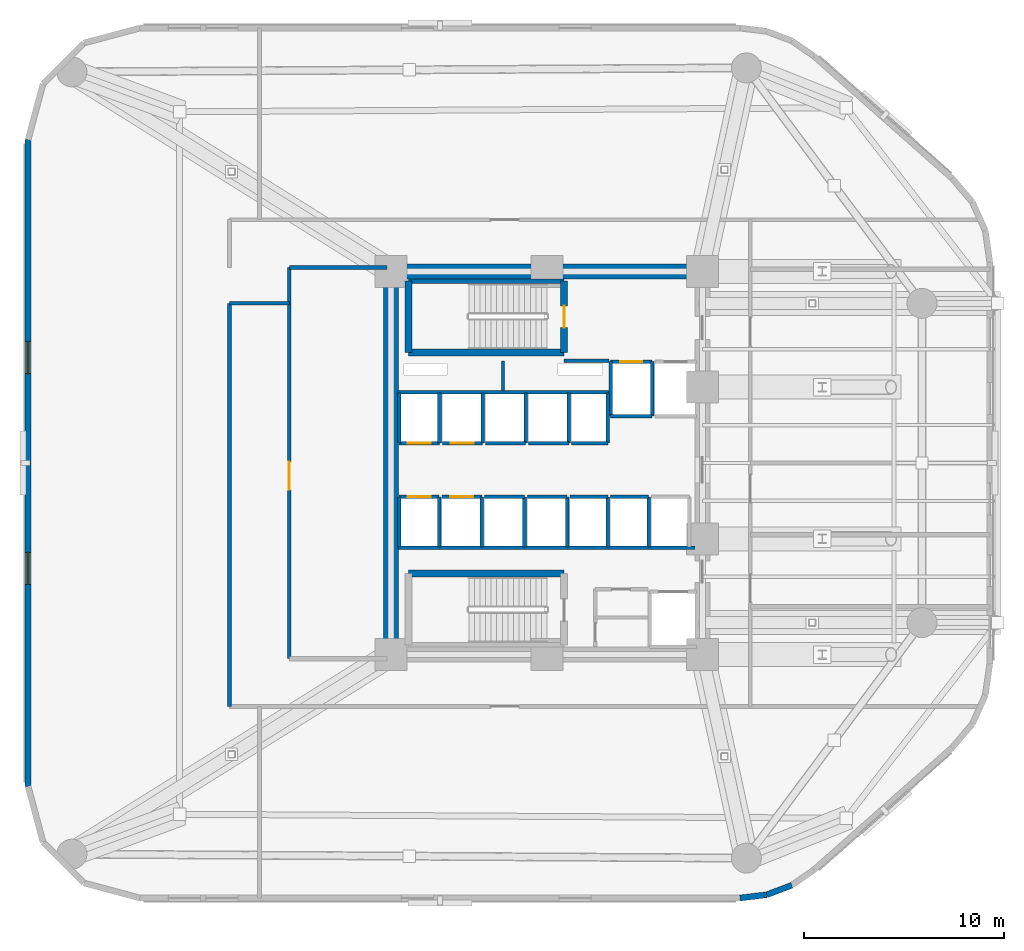
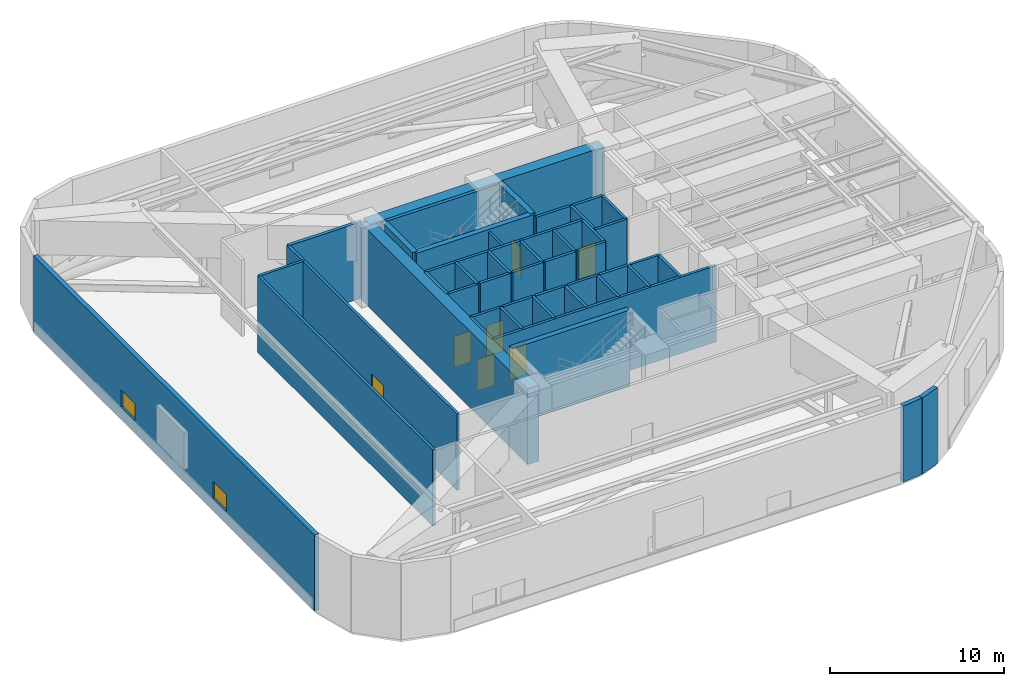
# One storey, part 7 of 11: 46 walls, 7 doors, 2 windows, 9 openings.
"""IFC4 building model written with IfcOpenShell, lengths in metres."""

from ifc_helpers import new_model, si_unit, direction, frame, frame_2d, origin, place, context, subcontext, project, spatial, rectangle, extrude, material, layer, layer_set, type_object, element, fill, save


model = new_model("IFC4")

# Units and contexts
model_context = context("Model", 3, precision=1e-05, world=origin(), true_north=direction((0.0, 1.0)))
body_context = subcontext(model_context, "Body", "Model", "MODEL_VIEW")
ifc_project = project(units=[si_unit("LENGTHUNIT", "METRE"), si_unit("AREAUNIT", "SQUARE_METRE"), si_unit("VOLUMEUNIT", "CUBIC_METRE"), si_unit("PLANEANGLEUNIT", "RADIAN"), si_unit("MASSUNIT", "GRAM", prefix="KILO")], contexts=[model_context])

# Site, building, storey
site_placement = place(None, origin())
site = spatial("IfcSite", under=ifc_project, at=site_placement, CompositionType="ELEMENT")
building_placement = place(site_placement, origin())
building = spatial("IfcBuilding", under=site, at=building_placement, Name="An Khanh Terracotta Commons", CompositionType="ELEMENT")
storey_placement = place(building_placement, frame((0.0, 0.0, 75.60009765625)))
storey = spatial("IfcBuildingStorey", under=building, at=storey_placement, Name="L20", CompositionType="ELEMENT", Elevation=75.60009765625)

# Walls
ifc_material_1 = material(Name="Concrete C70/85", Category="concrete")
ifc_layer_1 = layer(ifc_material_1, 0.75, Name="Concrete C70/85")
ifc_layer_set_1 = layer_set([ifc_layer_1], Name="Concrete C70/85")
wall_type_1 = type_object("IfcWallType", Name="WALL-CORE-750", PredefinedType="SHEAR", material=ifc_layer_set_1)
wall_1_placement = place(storey_placement, frame((21.60009765625, 14.39990234375, 0.0), z_axis=(0.0, 0.0, 1.0), x_axis=(0.0, 1.0, 0.0)))
element("IfcWall", 1, at=wall_1_placement, inside=storey, type_object=wall_type_1, Name="L20 Core Wall CWALL-L20-W", PredefinedType="SHEAR", context=body_context, shape_type="SweptSolid", body=[
    extrude(rectangle(XDim=19.2001953125, YDim=0.75, at=frame_2d((9.60009765625, 0.0))), origin(), (0.0, 0.0, 1.0), 5.35986328125),
])
wall_2_placement = place(storey_placement, frame((21.60009765625, 33.60009765625, 0.0), z_axis=(0.0, 0.0, 1.0), x_axis=(1.0, 0.0, 0.0)))
element("IfcWall", 2, at=wall_2_placement, inside=storey, type_object=wall_type_1, Name="L20 Core Wall CWALL-L20-N", PredefinedType="SHEAR", context=body_context, shape_type="SweptSolid", body=[
    extrude(rectangle(XDim=15.599853515625, YDim=0.75, at=frame_2d((7.7998046875, 0.0))), origin(), (0.0, 0.0, 1.0), 5.35986328125),
])
ifc_material_2 = material(Name="Fire-Rated Gypsum Board on Steel Stud", Category="steel")
ifc_layer_2 = layer(ifc_material_2, 0.179931640625, Name="Fire-Rated Gypsum Board on Steel Stud")
ifc_layer_set_2 = layer_set([ifc_layer_2], Name="Fire-Rated Gypsum Board on Steel Stud")
wall_type_2 = type_object("IfcWallType", Name="WALL-CORR-180", PredefinedType="PARTITIONING", material=ifc_layer_set_2)
wall_3_placement = place(storey_placement, frame((30.27001953125, 29.1201171875, 0.0), z_axis=(0.0, 0.0, 1.0), x_axis=(1.0, 0.0, 0.0)))
element("IfcWall", 3, at=wall_3_placement, inside=storey, type_object=wall_type_2, Name="L20 Core Wall FFLW-L20-S", PredefinedType="PARTITIONING", context=body_context, shape_type="SweptSolid", body=[
    extrude(rectangle(XDim=2.239990234375, YDim=0.179931640625, at=frame_2d((1.1201171875, 0.0))), origin(), (0.0, 0.0, 1.0), 5.35986328125),
])
wall_4_placement = place(storey_placement, frame((21.949951171875, 27.5400390625, 0.0), z_axis=(0.0, 0.0, 1.0), x_axis=(1.0, 0.0, 0.0)))
element("IfcWall", 4, at=wall_4_placement, inside=storey, type_object=wall_type_2, Name="L20 Core Wall RSRW-L20-S", PredefinedType="PARTITIONING", context=body_context, shape_type="SweptSolid", body=[
    extrude(rectangle(XDim=10.56005859375, YDim=0.179931640625, at=frame_2d((5.280029296875, 0.0))), origin(), (0.0, 0.0, 1.0), 5.35986328125),
])
wall_5_placement = place(storey_placement, frame((21.949951171875, 19.760009765625, 0.0), z_axis=(0.0, 0.0, 1.0), x_axis=(1.0, 0.0, 0.0)))
element("IfcWall", 5, at=wall_5_placement, inside=storey, type_object=wall_type_2, Name="L20 Core Wall SVW-L20-N", PredefinedType="PARTITIONING", context=body_context, shape_type="SweptSolid", body=[
    extrude(rectangle(XDim=14.8701171875, YDim=0.179931640625, at=frame_2d((7.43505859375, 0.0))), origin(), (0.0, 0.0, 1.0), 5.35986328125),
])

# Wall, opening, door
wall_6_placement = place(storey_placement, frame((32.60009765625, 29.080078125, 0.0), z_axis=(0.0, 0.0, 1.0), x_axis=(1.0, 0.0, 0.0)))
wall_6 = element("IfcWall", 6, at=wall_6_placement, inside=storey, type_object=wall_type_2, Name="L20 Core Wall LSH-L20-FFL-01-N", PredefinedType="PARTITIONING", context=body_context, shape_type="SweptSolid", body=[
    extrude(rectangle(XDim=2.079833984375, YDim=0.179931640625, at=frame_2d((1.0400390625, 0.0))), origin(), (0.0, 0.0, 1.0), 5.35986328125),
])
opening_1_placement = place(wall_6_placement, frame((0.489990234375, 0.0, 0.0)))
opening_1 = element("IfcOpeningElement", 7, at=opening_1_placement, cuts=wall_6, Name="Opening LD-FFL-01-L20", PredefinedType="OPENING", context=body_context, shape_type="SweptSolid", body=[
    extrude(rectangle(XDim=1.10009765625, YDim=2.199951171875, at=frame_2d((0.550048828125, 1.10009765625))), frame((0.0, 0.099853515625, 0.0), z_axis=(0.0, -1.0, 0.0), x_axis=(1.0, 0.0, 0.0)), (0.0, 0.0, 1.0), 0.199951171875),
])
ifc_material_3 = material(Name="Brushed Stainless Steel Fire Landing Door", Category="steel")
door_type_1 = type_object("IfcDoorType", Name="DOOR-LD-FFL-1100", OperationType="NOTDEFINED", PredefinedType="DOOR", material=ifc_material_3)
door_1_placement = place(opening_1_placement, origin())
door_1 = element("IfcDoor", 8, at=door_1_placement, inside=storey, type_object=door_type_1, Name="L20 Lift FFL-01 Sliding Landing Door", OperationType="DOUBLE_DOOR_SLIDING", OverallHeight=2.199951171875, OverallWidth=1.10009765625, PredefinedType="DOOR", context=body_context, shape_type="SweptSolid", body=[
    extrude(rectangle(XDim=1.10009765625, YDim=2.199951171875, at=frame_2d((0.550048828125, 1.10009765625))), frame((0.0, 0.02490234375, 0.0), z_axis=(0.0, -1.0, 0.0), x_axis=(1.0, 0.0, 0.0)), (0.0, 0.0, 1.0), 0.050048828125),
])
fill(opening_1, door_1)

# Walls
wall_7_placement = place(storey_placement, frame((34.679931640625, 26.35009765625, 0.0), z_axis=(0.0, 0.0, 1.0), x_axis=(-1.0, 0.0, 0.0)))
element("IfcWall", 9, at=wall_7_placement, inside=storey, type_object=wall_type_2, Name="L20 Core Wall LSH-L20-FFL-01-S", PredefinedType="PARTITIONING", context=body_context, shape_type="SweptSolid", body=[
    extrude(rectangle(XDim=2.079833984375, YDim=0.179931640625, at=frame_2d((1.0400390625, 0.0))), origin(), (0.0, 0.0, 1.0), 5.35986328125),
])
for number, where, z_axis, x_axis, name in (
    (10, (34.679931640625, 26.35009765625, 0.0), (0.0, 0.0, 1.0), (0.0, 1.0, 0.0), "L20 Core Wall LSH-L20-FFL-01-E"),
    (11, (32.60009765625, 29.080078125, 0.0), (0.0, 0.0, 1.0), (0.0, -1.0, 0.0), "L20 Core Wall LSH-L20-FFL-01-W"),
):
    element("IfcWall", number, at=place(storey_placement, frame(where, z_axis=z_axis, x_axis=x_axis)), inside=storey, type_object=wall_type_2, Name=name, PredefinedType="PARTITIONING", context=body_context, shape_type="SweptSolid", body=[
        extrude(rectangle(XDim=2.72998046875, YDim=0.179931640625, at=frame_2d((1.364990234375, 0.0))), origin(), (0.0, 0.0, 1.0), 5.35986328125),
    ])

# Wall, opening, door
wall_8_placement = place(storey_placement, frame((24.02001953125, 25.0, 0.0), z_axis=(0.0, 0.0, 1.0), x_axis=(-1.0, 0.0, 0.0)))
wall_8 = element("IfcWall", 12, at=wall_8_placement, inside=storey, type_object=wall_type_2, Name="L20 Core Wall LSH-L20-PL-L1-S", PredefinedType="PARTITIONING", context=body_context, shape_type="SweptSolid", body=[
    extrude(rectangle(XDim=2.02001953125, YDim=0.179931640625, at=frame_2d((1.010009765625, 0.0))), origin(), (0.0, 0.0, 1.0), 5.35986328125),
])
opening_2_placement = place(wall_8_placement, frame((0.43505859375, 0.0, 0.0)))
opening_2 = element("IfcOpeningElement", 13, at=opening_2_placement, cuts=wall_8, Name="Opening LD-PL-L1-L20", PredefinedType="OPENING", context=body_context, shape_type="SweptSolid", body=[
    extrude(rectangle(XDim=1.14990234375, YDim=2.199951171875, at=frame_2d((0.574951171875, 1.10009765625))), frame((0.0, 0.099853515625, 0.0), z_axis=(0.0, -1.0, 0.0), x_axis=(1.0, 0.0, 0.0)), (0.0, 0.0, 1.0), 0.199951171875),
])
ifc_material_4 = material(Name="Brushed Stainless Steel Passenger Landing Door", Category="steel")
door_type_2 = type_object("IfcDoorType", Name="DOOR-LD-PAX-1150", OperationType="NOTDEFINED", PredefinedType="DOOR", material=ifc_material_4)
door_2_placement = place(opening_2_placement, origin())
door_2 = element("IfcDoor", 14, at=door_2_placement, inside=storey, type_object=door_type_2, Name="L20 Lift PL-L1 Sliding Landing Door", OperationType="DOUBLE_DOOR_SLIDING", OverallHeight=2.199951171875, OverallWidth=1.14990234375, PredefinedType="DOOR", context=body_context, shape_type="SweptSolid", body=[
    extrude(rectangle(XDim=1.14990234375, YDim=2.199951171875, at=frame_2d((0.574951171875, 1.10009765625))), frame((0.0, 0.02490234375, 0.0), z_axis=(0.0, -1.0, 0.0), x_axis=(1.0, 0.0, 0.0)), (0.0, 0.0, 1.0), 0.050048828125),
])
fill(opening_2, door_2)

# Walls
for number, where, z_axis, x_axis, name in (
    (15, (24.02001953125, 25.0, 0.0), (0.0, 0.0, 1.0), (0.0, 1.0, 0.0), "L20 Core Wall LSH-L20-PL-L1-E"),
    (16, (22.0, 27.5, 0.0), (0.0, 0.0, 1.0), (0.0, -1.0, 0.0), "L20 Core Wall LSH-L20-PL-L1-W"),
):
    element("IfcWall", number, at=place(storey_placement, frame(where, z_axis=z_axis, x_axis=x_axis)), inside=storey, type_object=wall_type_2, Name=name, PredefinedType="PARTITIONING", context=body_context, shape_type="SweptSolid", body=[
        extrude(rectangle(XDim=2.5, YDim=0.179931640625, at=frame_2d((1.25, 0.0))), origin(), (0.0, 0.0, 1.0), 5.35986328125),
    ])

# Wall, opening, door
wall_9_placement = place(storey_placement, frame((26.179931640625, 25.0, 0.0), z_axis=(0.0, 0.0, 1.0), x_axis=(-1.0, 0.0, 0.0)))
wall_9 = element("IfcWall", 17, at=wall_9_placement, inside=storey, type_object=wall_type_2, Name="L20 Core Wall LSH-L20-PL-L2-S", PredefinedType="PARTITIONING", context=body_context, shape_type="SweptSolid", body=[
    extrude(rectangle(XDim=2.02001953125, YDim=0.179931640625, at=frame_2d((1.010009765625, 0.0))), origin(), (0.0, 0.0, 1.0), 5.35986328125),
])
opening_3_placement = place(wall_9_placement, frame((0.43505859375, 0.0, 0.0)))
opening_3 = element("IfcOpeningElement", 18, at=opening_3_placement, cuts=wall_9, Name="Opening LD-PL-L2-L20", PredefinedType="OPENING", context=body_context, shape_type="SweptSolid", body=[
    extrude(rectangle(XDim=1.14990234375, YDim=2.199951171875, at=frame_2d((0.574951171875, 1.10009765625))), frame((0.0, 0.099853515625, 0.0), z_axis=(0.0, -1.0, 0.0), x_axis=(1.0, 0.0, 0.0)), (0.0, 0.0, 1.0), 0.199951171875),
])
door_3_placement = place(opening_3_placement, origin())
door_3 = element("IfcDoor", 19, at=door_3_placement, inside=storey, type_object=door_type_2, Name="L20 Lift PL-L2 Sliding Landing Door", OperationType="DOUBLE_DOOR_SLIDING", OverallHeight=2.199951171875, OverallWidth=1.14990234375, PredefinedType="DOOR", context=body_context, shape_type="SweptSolid", body=[
    extrude(rectangle(XDim=1.14990234375, YDim=2.199951171875, at=frame_2d((0.574951171875, 1.10009765625))), frame((0.0, 0.02490234375, 0.0), z_axis=(0.0, -1.0, 0.0), x_axis=(1.0, 0.0, 0.0)), (0.0, 0.0, 1.0), 0.050048828125),
])
fill(opening_3, door_3)

# Wall
wall_10_placement = place(storey_placement, frame((26.179931640625, 25.0, 0.0), z_axis=(0.0, 0.0, 1.0), x_axis=(0.0, 1.0, 0.0)))
element("IfcWall", 20, at=wall_10_placement, inside=storey, type_object=wall_type_2, Name="L20 Core Wall LSH-L20-PL-L2-E", PredefinedType="PARTITIONING", context=body_context, shape_type="SweptSolid", body=[
    extrude(rectangle(XDim=2.5, YDim=0.179931640625, at=frame_2d((1.25, 0.0))), origin(), (0.0, 0.0, 1.0), 5.35986328125),
])

# Wall, opening, door
wall_11_placement = place(storey_placement, frame((22.0, 22.300048828125, 0.0), z_axis=(0.0, 0.0, 1.0), x_axis=(1.0, 0.0, 0.0)))
wall_11 = element("IfcWall", 21, at=wall_11_placement, inside=storey, type_object=wall_type_2, Name="L20 Core Wall LSH-L20-PL-L3-N", PredefinedType="PARTITIONING", context=body_context, shape_type="SweptSolid", body=[
    extrude(rectangle(XDim=2.0, YDim=0.179931640625, at=frame_2d((1.0, 0.0))), origin(), (0.0, 0.0, 1.0), 5.35986328125),
])
opening_4_placement = place(wall_11_placement, frame((0.425048828125, 0.0, 0.0)))
opening_4 = element("IfcOpeningElement", 22, at=opening_4_placement, cuts=wall_11, Name="Opening LD-PL-L3-L20", PredefinedType="OPENING", context=body_context, shape_type="SweptSolid", body=[
    extrude(rectangle(XDim=1.14990234375, YDim=2.199951171875, at=frame_2d((0.574951171875, 1.10009765625))), frame((0.0, 0.099853515625, 0.0), z_axis=(0.0, -1.0, 0.0), x_axis=(1.0, 0.0, 0.0)), (0.0, 0.0, 1.0), 0.199951171875),
])
door_4_placement = place(opening_4_placement, origin())
door_4 = element("IfcDoor", 23, at=door_4_placement, inside=storey, type_object=door_type_2, Name="L20 Lift PL-L3 Sliding Landing Door", OperationType="DOUBLE_DOOR_SLIDING", OverallHeight=2.199951171875, OverallWidth=1.14990234375, PredefinedType="DOOR", context=body_context, shape_type="SweptSolid", body=[
    extrude(rectangle(XDim=1.14990234375, YDim=2.199951171875, at=frame_2d((0.574951171875, 1.10009765625))), frame((0.0, 0.02490234375, 0.0), z_axis=(0.0, -1.0, 0.0), x_axis=(1.0, 0.0, 0.0)), (0.0, 0.0, 1.0), 0.050048828125),
])
fill(opening_4, door_4)

# Walls
for number, where, z_axis, x_axis, name in (
    (24, (24.0, 19.800048828125, 0.0), (0.0, 0.0, 1.0), (0.0, 1.0, 0.0), "L20 Core Wall LSH-L20-PL-L3-E"),
    (25, (22.0, 22.300048828125, 0.0), (0.0, 0.0, 1.0), (0.0, -1.0, 0.0), "L20 Core Wall LSH-L20-PL-L3-W"),
):
    element("IfcWall", number, at=place(storey_placement, frame(where, z_axis=z_axis, x_axis=x_axis)), inside=storey, type_object=wall_type_2, Name=name, PredefinedType="PARTITIONING", context=body_context, shape_type="SweptSolid", body=[
        extrude(rectangle(XDim=2.5, YDim=0.179931640625, at=frame_2d((1.25, 0.0))), origin(), (0.0, 0.0, 1.0), 5.35986328125),
    ])

# Wall, opening, door
wall_12_placement = place(storey_placement, frame((24.139892578125, 22.300048828125, 0.0), z_axis=(0.0, 0.0, 1.0), x_axis=(1.0, 0.0, 0.0)))
wall_12 = element("IfcWall", 26, at=wall_12_placement, inside=storey, type_object=wall_type_2, Name="L20 Core Wall LSH-L20-PL-L4-N", PredefinedType="PARTITIONING", context=body_context, shape_type="SweptSolid", body=[
    extrude(rectangle(XDim=2.0, YDim=0.179931640625, at=frame_2d((1.0, 0.0))), origin(), (0.0, 0.0, 1.0), 5.35986328125),
])
opening_5_placement = place(wall_12_placement, frame((0.425048828125, 0.0, 0.0)))
opening_5 = element("IfcOpeningElement", 27, at=opening_5_placement, cuts=wall_12, Name="Opening LD-PL-L4-L20", PredefinedType="OPENING", context=body_context, shape_type="SweptSolid", body=[
    extrude(rectangle(XDim=1.14990234375, YDim=2.199951171875, at=frame_2d((0.574951171875, 1.10009765625))), frame((0.0, 0.099853515625, 0.0), z_axis=(0.0, -1.0, 0.0), x_axis=(1.0, 0.0, 0.0)), (0.0, 0.0, 1.0), 0.199951171875),
])
door_5_placement = place(opening_5_placement, origin())
door_5 = element("IfcDoor", 28, at=door_5_placement, inside=storey, type_object=door_type_2, Name="L20 Lift PL-L4 Sliding Landing Door", OperationType="DOUBLE_DOOR_SLIDING", OverallHeight=2.199951171875, OverallWidth=1.14990234375, PredefinedType="DOOR", context=body_context, shape_type="SweptSolid", body=[
    extrude(rectangle(XDim=1.14990234375, YDim=2.199951171875, at=frame_2d((0.574951171875, 1.10009765625))), frame((0.0, 0.02490234375, 0.0), z_axis=(0.0, -1.0, 0.0), x_axis=(1.0, 0.0, 0.0)), (0.0, 0.0, 1.0), 0.050048828125),
])
fill(opening_5, door_5)

# Walls
wall_13_placement = place(storey_placement, frame((26.139892578125, 19.800048828125, 0.0), z_axis=(0.0, 0.0, 1.0), x_axis=(0.0, 1.0, 0.0)))
element("IfcWall", 29, at=wall_13_placement, inside=storey, type_object=wall_type_2, Name="L20 Core Wall LSH-L20-PL-L4-E", PredefinedType="PARTITIONING", context=body_context, shape_type="SweptSolid", body=[
    extrude(rectangle(XDim=2.5, YDim=0.179931640625, at=frame_2d((1.25, 0.0))), origin(), (0.0, 0.0, 1.0), 5.35986328125),
])
wall_14_placement = place(storey_placement, frame((28.340087890625, 25.0, 0.0), z_axis=(0.0, 0.0, 1.0), x_axis=(-1.0, 0.0, 0.0)))
element("IfcWall", 30, at=wall_14_placement, inside=storey, type_object=wall_type_2, Name="L20 Core Wall LSH-L20-PL-M1-S", PredefinedType="PARTITIONING", context=body_context, shape_type="SweptSolid", body=[
    extrude(rectangle(XDim=2.02001953125, YDim=0.179931640625, at=frame_2d((1.010009765625, 0.0))), origin(), (0.0, 0.0, 1.0), 5.35986328125),
])
wall_15_placement = place(storey_placement, frame((28.340087890625, 25.0, 0.0), z_axis=(0.0, 0.0, 1.0), x_axis=(0.0, 1.0, 0.0)))
element("IfcWall", 31, at=wall_15_placement, inside=storey, type_object=wall_type_2, Name="L20 Core Wall LSH-L20-PL-M1-E", PredefinedType="PARTITIONING", context=body_context, shape_type="SweptSolid", body=[
    extrude(rectangle(XDim=2.5, YDim=0.179931640625, at=frame_2d((1.25, 0.0))), origin(), (0.0, 0.0, 1.0), 5.35986328125),
])
wall_16_placement = place(storey_placement, frame((30.5, 25.0, 0.0), z_axis=(0.0, 0.0, 1.0), x_axis=(-1.0, 0.0, 0.0)))
element("IfcWall", 32, at=wall_16_placement, inside=storey, type_object=wall_type_2, Name="L20 Core Wall LSH-L20-PL-M2-S", PredefinedType="PARTITIONING", context=body_context, shape_type="SweptSolid", body=[
    extrude(rectangle(XDim=2.02001953125, YDim=0.179931640625, at=frame_2d((1.010009765625, 0.0))), origin(), (0.0, 0.0, 1.0), 5.35986328125),
])
wall_17_placement = place(storey_placement, frame((30.5, 25.0, 0.0), z_axis=(0.0, 0.0, 1.0), x_axis=(0.0, 1.0, 0.0)))
element("IfcWall", 33, at=wall_17_placement, inside=storey, type_object=wall_type_2, Name="L20 Core Wall LSH-L20-PL-M2-E", PredefinedType="PARTITIONING", context=body_context, shape_type="SweptSolid", body=[
    extrude(rectangle(XDim=2.5, YDim=0.179931640625, at=frame_2d((1.25, 0.0))), origin(), (0.0, 0.0, 1.0), 5.35986328125),
])
wall_18_placement = place(storey_placement, frame((26.280029296875, 22.300048828125, 0.0), z_axis=(0.0, 0.0, 1.0), x_axis=(1.0, 0.0, 0.0)))
element("IfcWall", 34, at=wall_18_placement, inside=storey, type_object=wall_type_2, Name="L20 Core Wall LSH-L20-PL-M3-N", PredefinedType="PARTITIONING", context=body_context, shape_type="SweptSolid", body=[
    extrude(rectangle(XDim=2.0, YDim=0.179931640625, at=frame_2d((1.0, 0.0))), origin(), (0.0, 0.0, 1.0), 5.35986328125),
])
wall_19_placement = place(storey_placement, frame((28.280029296875, 19.800048828125, 0.0), z_axis=(0.0, 0.0, 1.0), x_axis=(0.0, 1.0, 0.0)))
element("IfcWall", 35, at=wall_19_placement, inside=storey, type_object=wall_type_2, Name="L20 Core Wall LSH-L20-PL-M3-E", PredefinedType="PARTITIONING", context=body_context, shape_type="SweptSolid", body=[
    extrude(rectangle(XDim=2.5, YDim=0.179931640625, at=frame_2d((1.25, 0.0))), origin(), (0.0, 0.0, 1.0), 5.35986328125),
])
wall_20_placement = place(storey_placement, frame((28.419921875, 22.300048828125, 0.0), z_axis=(0.0, 0.0, 1.0), x_axis=(1.0, 0.0, 0.0)))
element("IfcWall", 36, at=wall_20_placement, inside=storey, type_object=wall_type_2, Name="L20 Core Wall LSH-L20-PL-M4-N", PredefinedType="PARTITIONING", context=body_context, shape_type="SweptSolid", body=[
    extrude(rectangle(XDim=2.0, YDim=0.179931640625, at=frame_2d((1.0, 0.0))), origin(), (0.0, 0.0, 1.0), 5.35986328125),
])
wall_21_placement = place(storey_placement, frame((30.419921875, 19.800048828125, 0.0), z_axis=(0.0, 0.0, 1.0), x_axis=(0.0, 1.0, 0.0)))
element("IfcWall", 37, at=wall_21_placement, inside=storey, type_object=wall_type_2, Name="L20 Core Wall LSH-L20-PL-M4-E", PredefinedType="PARTITIONING", context=body_context, shape_type="SweptSolid", body=[
    extrude(rectangle(XDim=2.5, YDim=0.179931640625, at=frame_2d((1.25, 0.0))), origin(), (0.0, 0.0, 1.0), 5.35986328125),
])
wall_22_placement = place(storey_placement, frame((32.4599609375, 25.0, 0.0), z_axis=(0.0, 0.0, 1.0), x_axis=(-1.0, 0.0, 0.0)))
element("IfcWall", 38, at=wall_22_placement, inside=storey, type_object=wall_type_2, Name="L20 Core Wall LSH-L20-PL-H1-S", PredefinedType="PARTITIONING", context=body_context, shape_type="SweptSolid", body=[
    extrude(rectangle(XDim=1.820068359375, YDim=0.179931640625, at=frame_2d((0.91015625, 0.0))), origin(), (0.0, 0.0, 1.0), 5.35986328125),
])
wall_23_placement = place(storey_placement, frame((32.4599609375, 25.0, 0.0), z_axis=(0.0, 0.0, 1.0), x_axis=(0.0, 1.0, 0.0)))
element("IfcWall", 39, at=wall_23_placement, inside=storey, type_object=wall_type_2, Name="L20 Core Wall LSH-L20-PL-H1-E", PredefinedType="PARTITIONING", context=body_context, shape_type="SweptSolid", body=[
    extrude(rectangle(XDim=2.5, YDim=0.179931640625, at=frame_2d((1.25, 0.0))), origin(), (0.0, 0.0, 1.0), 5.35986328125),
])
wall_24_placement = place(storey_placement, frame((30.56005859375, 22.300048828125, 0.0), z_axis=(0.0, 0.0, 1.0), x_axis=(1.0, 0.0, 0.0)))
element("IfcWall", 40, at=wall_24_placement, inside=storey, type_object=wall_type_2, Name="L20 Core Wall LSH-L20-PL-H2-N", PredefinedType="PARTITIONING", context=body_context, shape_type="SweptSolid", body=[
    extrude(rectangle(XDim=1.89990234375, YDim=0.179931640625, at=frame_2d((0.949951171875, 0.0))), origin(), (0.0, 0.0, 1.0), 5.35986328125),
])
wall_25_placement = place(storey_placement, frame((32.4599609375, 19.800048828125, 0.0), z_axis=(0.0, 0.0, 1.0), x_axis=(0.0, 1.0, 0.0)))
element("IfcWall", 41, at=wall_25_placement, inside=storey, type_object=wall_type_2, Name="L20 Core Wall LSH-L20-PL-H2-E", PredefinedType="PARTITIONING", context=body_context, shape_type="SweptSolid", body=[
    extrude(rectangle(XDim=2.5, YDim=0.179931640625, at=frame_2d((1.25, 0.0))), origin(), (0.0, 0.0, 1.0), 5.35986328125),
])
wall_26_placement = place(storey_placement, frame((32.60009765625, 22.300048828125, 0.0), z_axis=(0.0, 0.0, 1.0), x_axis=(1.0, 0.0, 0.0)))
element("IfcWall", 42, at=wall_26_placement, inside=storey, type_object=wall_type_2, Name="L20 Core Wall LSH-L20-PL-H3-N", PredefinedType="PARTITIONING", context=body_context, shape_type="SweptSolid", body=[
    extrude(rectangle(XDim=1.89990234375, YDim=0.179931640625, at=frame_2d((0.949951171875, 0.0))), origin(), (0.0, 0.0, 1.0), 5.35986328125),
])
wall_27_placement = place(storey_placement, frame((34.5, 19.800048828125, 0.0), z_axis=(0.0, 0.0, 1.0), x_axis=(0.0, 1.0, 0.0)))
element("IfcWall", 43, at=wall_27_placement, inside=storey, type_object=wall_type_2, Name="L20 Core Wall LSH-L20-PL-H3-E", PredefinedType="PARTITIONING", context=body_context, shape_type="SweptSolid", body=[
    extrude(rectangle(XDim=2.5, YDim=0.179931640625, at=frame_2d((1.25, 0.0))), origin(), (0.0, 0.0, 1.0), 5.35986328125),
])
wall_28_placement = place(storey_placement, frame((13.5, 32.0, 0.0), z_axis=(0.0, 0.0, 1.0), x_axis=(1.0, 0.0, 0.0)))
element("IfcWall", 44, at=wall_28_placement, inside=storey, type_object=wall_type_2, Name="L20 Interior Partition IW-L20-E006", PredefinedType="PARTITIONING", context=body_context, shape_type="SweptSolid", body=[
    extrude(rectangle(XDim=3.0, YDim=0.179931640625, at=frame_2d((1.5, 0.0))), origin(), (0.0, 0.0, 1.0), 5.35986328125),
])
wall_29_placement = place(storey_placement, frame((13.5, 11.800048828125, 0.0), z_axis=(0.0, 0.0, 1.0), x_axis=(0.0, 1.0, 0.0)))
element("IfcWall", 45, at=wall_29_placement, inside=storey, type_object=wall_type_2, Name="L20 Interior Partition IW-L20-E010", PredefinedType="PARTITIONING", context=body_context, shape_type="SweptSolid", body=[
    extrude(rectangle(XDim=20.199951171875, YDim=0.179931640625, at=frame_2d((10.10009765625, 0.0))), origin(), (0.0, 0.0, 1.0), 5.35986328125),
])

# Wall, opening, door
wall_30_placement = place(storey_placement, frame((16.5, 14.199951171875, 0.0), z_axis=(0.0, 0.0, 1.0), x_axis=(0.0, 1.0, 0.0)))
wall_30 = element("IfcWall", 46, at=wall_30_placement, inside=storey, type_object=wall_type_2, Name="L20 Interior Partition IW-L20-E014", PredefinedType="PARTITIONING", context=body_context, shape_type="SweptSolid", body=[
    extrude(rectangle(XDim=19.60009765625, YDim=0.179931640625, at=frame_2d((9.800048828125, 0.0))), origin(), (0.0, 0.0, 1.0), 5.35986328125),
])
opening_6_placement = place(wall_30_placement, frame((8.4599609375, 0.0, 0.0)))
opening_6 = element("IfcOpeningElement", 47, at=opening_6_placement, cuts=wall_30, Name="Opening D-PL", PredefinedType="OPENING", context=body_context, shape_type="SweptSolid", body=[
    extrude(rectangle(XDim=1.39990234375, YDim=2.25, at=frame_2d((0.699951171875, 1.125))), frame((0.0, 0.099853515625, 0.0), z_axis=(0.0, -1.0, 0.0), x_axis=(1.0, 0.0, 0.0)), (0.0, 0.0, 1.0), 0.199951171875),
])
ifc_material_5 = material(Name="Heavy-Duty Acoustic Steel Double Plant Door", Category="steel")
door_type_3 = type_object("IfcDoorType", Name="DOOR-PLANT-1400", OperationType="NOTDEFINED", PredefinedType="DOOR", material=ifc_material_5)
door_6_placement = place(opening_6_placement, origin())
door_6 = element("IfcDoor", 48, at=door_6_placement, inside=storey, type_object=door_type_3, Name="L20 TNK Fire Water Break Tank Plant Room Door", OperationType="DOUBLE_DOOR_SINGLE_SWING", OverallHeight=2.25, OverallWidth=1.39990234375, PredefinedType="DOOR", context=body_context, shape_type="SweptSolid", body=[
    extrude(rectangle(XDim=1.39990234375, YDim=2.25, at=frame_2d((0.699951171875, 1.125))), frame((0.0, 0.02490234375, 0.0), z_axis=(0.0, -1.0, 0.0), x_axis=(1.0, 0.0, 0.0)), (0.0, 0.0, 1.0), 0.050048828125),
])
fill(opening_6, door_6)

# Walls
ifc_material_6 = material(Name="Precast concrete C40/50", Category="concrete")
ifc_layer_3 = layer(ifc_material_6, 0.300048828125, Name="Precast concrete C40/50")
ifc_layer_set_3 = layer_set([ifc_layer_3], Name="Precast concrete C40/50")
wall_type_3 = type_object("IfcWallType", Name="WALL-EXT-300", PredefinedType="SOLIDWALL", material=ifc_layer_set_3)
wall_31_placement = place(storey_placement, frame((39.0791015625, 2.199951171875, 0.0), z_axis=(0.0, 0.0, 1.0), x_axis=(0.992739027259, 0.120288086515, 0.0)))
element("IfcWall", 49, at=wall_31_placement, inside=storey, type_object=wall_type_3, Name="L20 Insulated Terracotta Exterior Wall 5", PredefinedType="SOLIDWALL", context=body_context, shape_type="SweptSolid", body=[
    extrude(rectangle(XDim=1.34765625, YDim=0.300048828125, at=frame_2d((0.673828125, 0.0))), origin(), (0.0, 0.0, 1.0), 5.35986328125),
])
wall_32_placement = place(storey_placement, frame((40.4169921875, 2.362060546875, 0.0), z_axis=(0.0, 0.0, 1.0), x_axis=(0.935156721165, 0.354234254216, 0.0)))
element("IfcWall", 50, at=wall_32_placement, inside=storey, type_object=wall_type_3, Name="L20 Insulated Terracotta Exterior Wall 6", PredefinedType="SOLIDWALL", context=body_context, shape_type="SweptSolid", body=[
    extrude(rectangle(XDim=1.349365234375, YDim=0.300048828125, at=frame_2d((0.6748046875, 0.0))), origin(), (0.0, 0.0, 1.0), 5.35986328125),
])

# Wall, openings, windows
wall_33_placement = place(storey_placement, frame((3.39990234375, 40.199951171875, 0.0), z_axis=(0.0, 0.0, 1.0), x_axis=(0.0, -1.0, 0.0)))
wall_33 = element("IfcWall", 51, at=wall_33_placement, inside=storey, type_object=wall_type_3, Name="L20 Insulated Terracotta Exterior Wall 24", PredefinedType="SOLIDWALL", context=body_context, shape_type="SweptSolid", body=[
    extrude(rectangle(XDim=32.39990234375, YDim=0.300048828125, at=frame_2d((16.199951171875, 0.0))), origin(), (0.0, 0.0, 1.0), 5.35986328125),
])
opening_7_placement = place(wall_33_placement, frame((10.116943359375, 0.0, 0.85009765625)))
opening_7 = element("IfcOpeningElement", 52, at=opening_7_placement, cuts=wall_33, Name="Opening W-12", PredefinedType="OPENING", context=body_context, shape_type="SweptSolid", body=[
    extrude(rectangle(XDim=1.60009765625, YDim=1.199951171875, at=frame_2d((0.800048828125, 0.60009765625))), frame((0.0, 0.159912109375, 0.0), z_axis=(0.0, -1.0, 0.0), x_axis=(1.0, 0.0, 0.0)), (0.0, 0.0, 1.0), 0.320068359375),
])
opening_8_placement = place(wall_33_placement, frame((20.68310546875, 0.0, 0.85009765625)))
opening_8 = element("IfcOpeningElement", 53, at=opening_8_placement, cuts=wall_33, Name="Opening W-12", PredefinedType="OPENING", context=body_context, shape_type="SweptSolid", body=[
    extrude(rectangle(XDim=1.60009765625, YDim=1.199951171875, at=frame_2d((0.800048828125, 0.60009765625))), frame((0.0, 0.159912109375, 0.0), z_axis=(0.0, -1.0, 0.0), x_axis=(1.0, 0.0, 0.0)), (0.0, 0.0, 1.0), 0.320068359375),
])
ifc_material_7 = material(Name="Thermally Broken Aluminium and Low-E Glass", Category="aluminium")
window_type = type_object("IfcWindowType", Name="WIN-REF-1600x1200", PartitioningType="DOUBLE_PANEL_VERTICAL", PredefinedType="WINDOW", material=ifc_material_7)
window_1_placement = place(opening_7_placement, origin())
window_1 = element("IfcWindow", 54, at=window_1_placement, inside=storey, type_object=window_type, Name="L20 Operable Casement Window 24.1", OverallHeight=1.199951171875, OverallWidth=1.60009765625, PartitioningType="DOUBLE_PANEL_VERTICAL", PredefinedType="WINDOW", context=body_context, shape_type="SweptSolid", body=[
    extrude(rectangle(XDim=1.60009765625, YDim=1.199951171875, at=frame_2d((0.800048828125, 0.60009765625))), frame((0.0, 0.030029296875, 0.0), z_axis=(0.0, -1.0, 0.0), x_axis=(1.0, 0.0, 0.0)), (0.0, 0.0, 1.0), 0.06005859375),
])
fill(opening_7, window_1)
window_2_placement = place(opening_8_placement, origin())
window_2 = element("IfcWindow", 55, at=window_2_placement, inside=storey, type_object=window_type, Name="L20 Operable Casement Window 24.2", OverallHeight=1.199951171875, OverallWidth=1.60009765625, PartitioningType="DOUBLE_PANEL_VERTICAL", PredefinedType="WINDOW", context=body_context, shape_type="SweptSolid", body=[
    extrude(rectangle(XDim=1.60009765625, YDim=1.199951171875, at=frame_2d((0.800048828125, 0.60009765625))), frame((0.0, 0.030029296875, 0.0), z_axis=(0.0, -1.0, 0.0), x_axis=(1.0, 0.0, 0.0)), (0.0, 0.0, 1.0), 0.06005859375),
])
fill(opening_8, window_2)

# Walls
ifc_material_8 = material(Name="Acoustic Gypsum Board Partition")
ifc_layer_4 = layer(ifc_material_8, 0.14990234375, Name="Acoustic Gypsum Board Partition")
ifc_layer_set_4 = layer_set([ifc_layer_4], Name="Acoustic Gypsum Board Partition")
wall_type_4 = type_object("IfcWallType", Name="WALL-PART-150", PredefinedType="PARTITIONING", material=ifc_layer_set_4)
wall_34_placement = place(storey_placement, frame((27.199951171875, 27.60009765625, 0.0), z_axis=(0.0, 0.0, 1.0), x_axis=(0.0, 1.0, 0.0)))
element("IfcWall", 56, at=wall_34_placement, inside=storey, type_object=wall_type_4, Name="L20 Core Wall RSRW-L20-D1", PredefinedType="PARTITIONING", context=body_context, shape_type="SweptSolid", body=[
    extrude(rectangle(XDim=1.52001953125, YDim=0.14990234375, at=frame_2d((0.760009765625, 0.0))), origin(), (0.0, 0.0, 1.0), 5.35986328125),
])
ifc_material_9 = material(Name="Acoustic Double-Stud Gypsum and Mineral Wool")
ifc_layer_5 = layer(ifc_material_9, 0.219970703125, Name="Acoustic Double-Stud Gypsum and Mineral Wool")
ifc_layer_set_5 = layer_set([ifc_layer_5], Name="Acoustic Double-Stud Gypsum and Mineral Wool")
wall_type_5 = type_object("IfcWallType", Name="WALL-PARTY-220", PredefinedType="PARTITIONING", material=ifc_layer_set_5)
wall_35_placement = place(storey_placement, frame((22.47998046875, 33.110107421875, 0.0), z_axis=(0.0, 0.0, 1.0), x_axis=(1.0, 0.0, 0.0)))
element("IfcWall", 57, at=wall_35_placement, inside=storey, type_object=wall_type_5, Name="L20 Core Wall STW-L20-N-N", PredefinedType="PARTITIONING", context=body_context, shape_type="SweptSolid", body=[
    extrude(rectangle(XDim=7.7900390625, YDim=0.219970703125, at=frame_2d((3.89501953125, 0.0))), origin(), (0.0, 0.0, 1.0), 5.35986328125),
])
wall_36_placement = place(storey_placement, frame((16.5, 33.800048828125, 0.0), z_axis=(0.0, 0.0, 1.0), x_axis=(1.0, 0.0, 0.0)))
element("IfcWall", 58, at=wall_36_placement, inside=storey, type_object=wall_type_5, Name="L20 Interior Partition IW-L20-E008", PredefinedType="PARTITIONING", context=body_context, shape_type="SweptSolid", body=[
    extrude(rectangle(XDim=4.89990234375, YDim=0.219970703125, at=frame_2d((2.449951171875, 0.0))), origin(), (0.0, 0.0, 1.0), 5.35986328125),
])
ifc_material_10 = material(Name="Concrete C50/60", Category="concrete")
ifc_layer_6 = layer(ifc_material_10, 0.35009765625, Name="Concrete C50/60")
ifc_layer_set_6 = layer_set([ifc_layer_6], Name="Concrete C50/60")
wall_type_6 = type_object("IfcWallType", Name="WALL-SHAFT-350", PredefinedType="SOLIDWALL", material=ifc_layer_set_6)
wall_37_placement = place(storey_placement, frame((22.47998046875, 29.530029296875, 0.0), z_axis=(0.0, 0.0, 1.0), x_axis=(1.0, 0.0, 0.0)))
element("IfcWall", 59, at=wall_37_placement, inside=storey, type_object=wall_type_6, Name="L20 Core Wall STW-L20-N-S", PredefinedType="SOLIDWALL", context=body_context, shape_type="SweptSolid", body=[
    extrude(rectangle(XDim=7.7900390625, YDim=0.35009765625, at=frame_2d((3.89501953125, 0.0))), origin(), (0.0, 0.0, 1.0), 5.35986328125),
])
wall_38_placement = place(storey_placement, frame((22.47998046875, 29.530029296875, 0.0), z_axis=(0.0, 0.0, 1.0), x_axis=(0.0, 1.0, 0.0)))
element("IfcWall", 60, at=wall_38_placement, inside=storey, type_object=wall_type_6, Name="L20 Core Wall STW-L20-N-W", PredefinedType="SOLIDWALL", context=body_context, shape_type="SweptSolid", body=[
    extrude(rectangle(XDim=3.580078125, YDim=0.35009765625, at=frame_2d((1.7900390625, 0.0))), origin(), (0.0, 0.0, 1.0), 5.35986328125),
])

# Wall, opening, door
wall_39_placement = place(storey_placement, frame((30.27001953125, 29.530029296875, 0.0), z_axis=(0.0, 0.0, 1.0), x_axis=(0.0, 1.0, 0.0)))
wall_39 = element("IfcWall", 61, at=wall_39_placement, inside=storey, type_object=wall_type_6, Name="L20 Core Wall STW-L20-N-E", PredefinedType="SOLIDWALL", context=body_context, shape_type="SweptSolid", body=[
    extrude(rectangle(XDim=3.580078125, YDim=0.35009765625, at=frame_2d((1.7900390625, 0.0))), origin(), (0.0, 0.0, 1.0), 5.35986328125),
])
opening_9_placement = place(wall_39_placement, frame((1.25, 0.0, 0.0)))
opening_9 = element("IfcOpeningElement", 62, at=opening_9_placement, cuts=wall_39, Name="Opening D-ST", PredefinedType="OPENING", context=body_context, shape_type="SweptSolid", body=[
    extrude(rectangle(XDim=1.10009765625, YDim=2.14990234375, at=frame_2d((0.550048828125, 1.074951171875))), frame((0.0, 0.18505859375, 0.0), z_axis=(0.0, -1.0, 0.0), x_axis=(1.0, 0.0, 0.0)), (0.0, 0.0, 1.0), 0.3701171875),
])
ifc_material_11 = material(Name="Fire-Rated Steel Leaf and Frame", Category="steel")
door_type_4 = type_object("IfcDoorType", Name="DOOR-STAIR-1100", OperationType="NOTDEFINED", PredefinedType="DOOR", material=ifc_material_11)
door_7_placement = place(opening_9_placement, origin())
door_7 = element("IfcDoor", 63, at=door_7_placement, inside=storey, type_object=door_type_4, Name="L20 Stair ST-01 Fire Door", OperationType="SINGLE_SWING_LEFT", OverallHeight=2.14990234375, OverallWidth=1.10009765625, PredefinedType="DOOR", context=body_context, shape_type="SweptSolid", body=[
    extrude(rectangle(XDim=1.10009765625, YDim=2.14990234375, at=frame_2d((0.550048828125, 1.074951171875))), frame((0.0, 0.02490234375, 0.0), z_axis=(0.0, -1.0, 0.0), x_axis=(1.0, 0.0, 0.0)), (0.0, 0.0, 1.0), 0.050048828125),
])
fill(opening_9, door_7)

# Wall
wall_40_placement = place(storey_placement, frame((22.47998046875, 18.469970703125, 0.0), z_axis=(0.0, 0.0, 1.0), x_axis=(1.0, 0.0, 0.0)))
element("IfcWall", 64, at=wall_40_placement, inside=storey, type_object=wall_type_6, Name="L20 Core Wall STW-L20-S-N", PredefinedType="SOLIDWALL", context=body_context, shape_type="SweptSolid", body=[
    extrude(rectangle(XDim=7.7900390625, YDim=0.35009765625, at=frame_2d((3.89501953125, 0.0))), origin(), (0.0, 0.0, 1.0), 5.35986328125),
])

save(model, "model.ifc")
